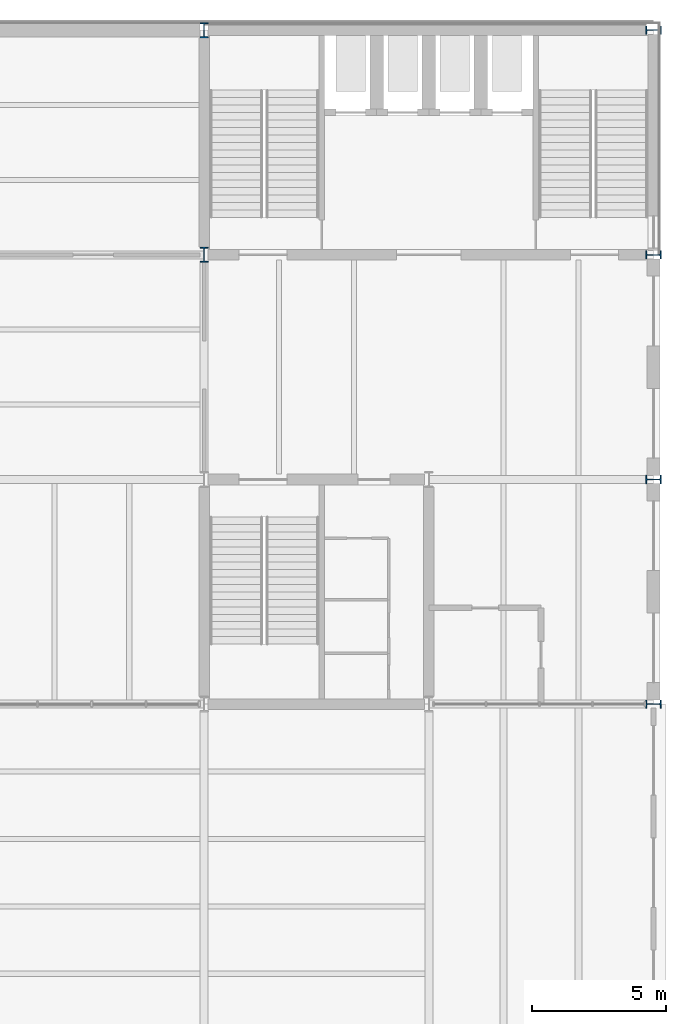
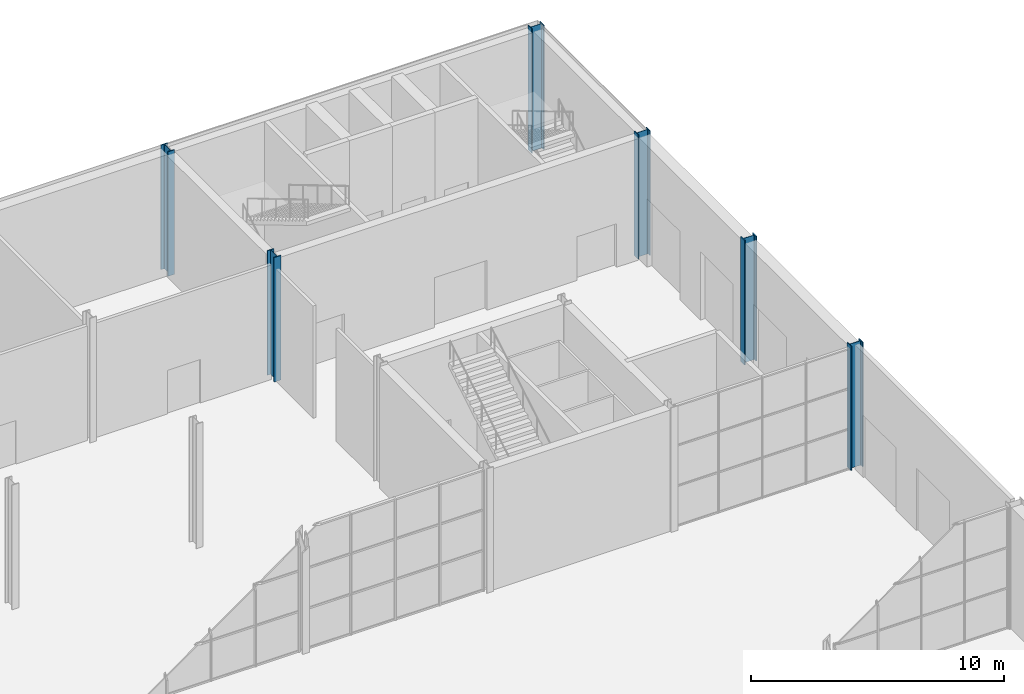
# One storey, part 8 of 55: 6 columns.
"""IFC4 building model written with IfcOpenShell, lengths in metres."""

from ifc_helpers import new_model, si_unit, direction, frame, origin, origin_2d, place, context, subcontext, project, spatial, i_section, extrude, material, material_profile, profile_set, type_object, element, save


model = new_model("IFC4")

# Units and contexts
model_context = context("Model", 3, precision=1e-05, world=origin(), true_north=direction((0.0, 1.0)))
body_context = subcontext(model_context, "Body", "Model", "MODEL_VIEW")
ifc_project = project(units=[si_unit("LENGTHUNIT", "METRE"), si_unit("AREAUNIT", "SQUARE_METRE"), si_unit("VOLUMEUNIT", "CUBIC_METRE"), si_unit("PLANEANGLEUNIT", "RADIAN"), si_unit("MASSUNIT", "GRAM", prefix="KILO")], contexts=[model_context])

# Site, building, storey
site_placement = place(None, origin())
site = spatial("IfcSite", under=ifc_project, at=site_placement, CompositionType="ELEMENT")
building_placement = place(site_placement, origin())
building = spatial("IfcBuilding", under=site, at=building_placement, Name="Galleria Vessillo Department Store", CompositionType="ELEMENT")
storey_placement = place(building_placement, origin())
storey = spatial("IfcBuildingStorey", under=building, at=storey_placement, Name="L00", CompositionType="ELEMENT", Elevation=0.0)

# Columns
ifc_material = material(Name="Steel S355 J2", Category="steel")
ifc_material_profile = material_profile(ifc_material, i_section(OverallWidth=0.305908203125, OverallDepth=0.572021484375, WebThickness=0.02099609375, FlangeThickness=0.0400390625, FilletRadius=0.027099609375, at=origin_2d()), Name="HEM 550")
ifc_profile_set = profile_set([ifc_material_profile], Name="Steel S355 J2")
column_type = type_object("IfcColumnType", Name="Steel column HEM 550 CT1", PredefinedType="COLUMN", material=ifc_profile_set)
for number, where, z_axis, x_axis, name in (
    (1, (100.800048828125, 54.60009765625, 0.0), (0.0, 0.0, 1.0), (1.0, 0.0, 0.0), "S-COL-L00-13-G"),
    (2, (100.800048828125, 63.0, 0.0), (0.0, 0.0, 1.0), (1.0, 0.0, 0.0), "S-COL-L00-13-H"),
    (3, (117.60009765625, 37.800048828125, 0.0), (0.0, 0.0, 1.0), (0.0, 1.0, 0.0), "S-COL-L00-15-E"),
    (4, (117.60009765625, 46.199951171875, 0.0), (0.0, 0.0, 1.0), (0.0, 1.0, 0.0), "S-COL-L00-15-F"),
    (5, (117.60009765625, 54.60009765625, 0.0), (0.0, 0.0, 1.0), (0.0, 1.0, 0.0), "S-COL-L00-15-G"),
    (6, (117.60009765625, 63.0, 0.0), (0.0, 0.0, 1.0), (0.0, 1.0, 0.0), "S-COL-L00-15-H"),
):
    element("IfcColumn", number, at=place(storey_placement, frame(where, z_axis=z_axis, x_axis=x_axis)), inside=storey, type_object=column_type, Name=name, PredefinedType="COLUMN", context=body_context, shape_type="SweptSolid", body=[
        extrude(i_section(OverallWidth=0.305908203125, OverallDepth=0.572021484375, WebThickness=0.02099609375, FlangeThickness=0.0400390625, FilletRadius=0.027099609375, at=origin_2d()), origin(), (0.0, 0.0, 1.0), 6.0),
    ])

save(model, "model.ifc")
